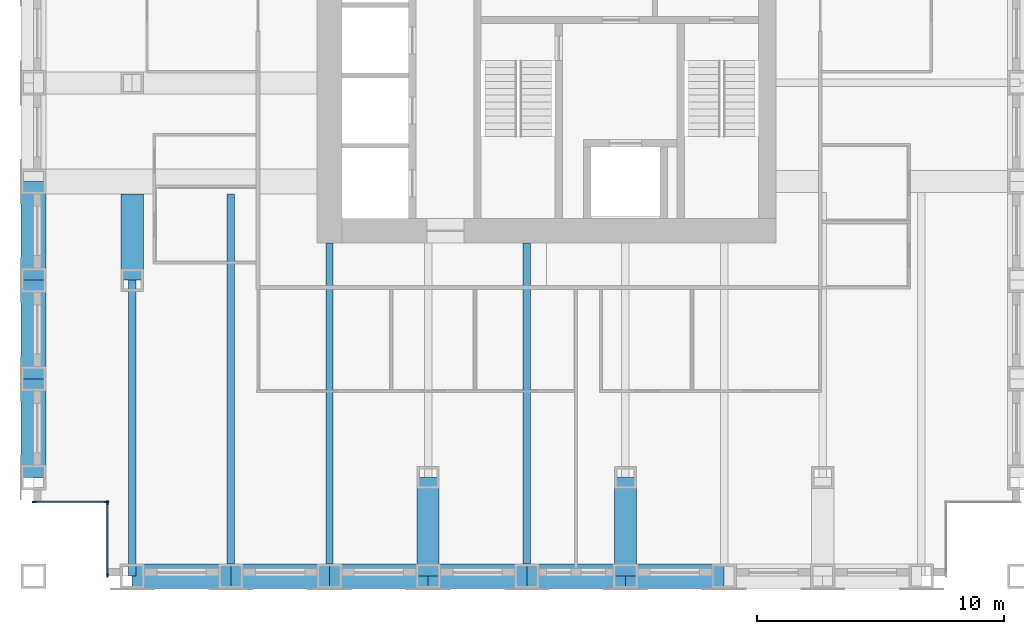
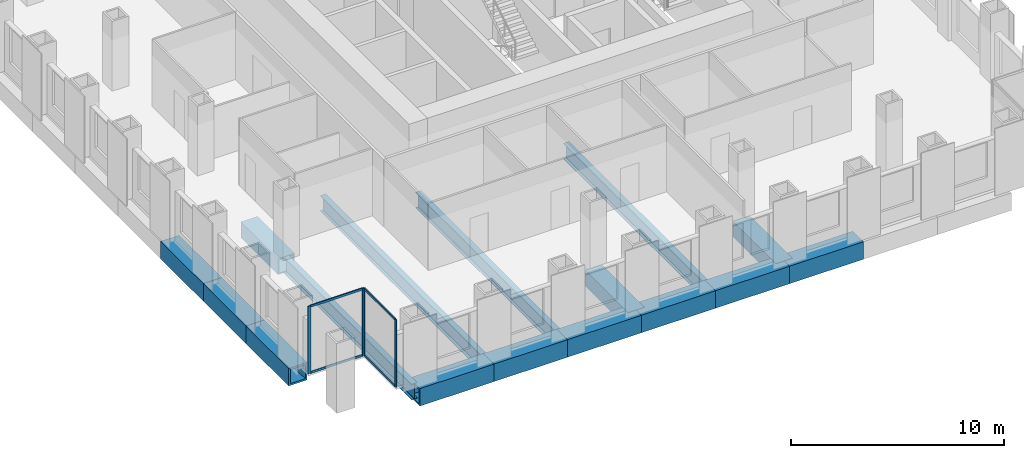
# One storey, part 2 of 12: 16 beams, 8 members, 2 elements without a shape of their own.
"""IFC4 building model written with IfcOpenShell, lengths in metres."""

from ifc_helpers import new_model, si_unit, direction, frame, origin, origin_2d, place, context, subcontext, project, spatial, rectangle, hollow_rectangle, i_section, extrude, material, material_profile, profile_set, type_object, element, aggregate, save


model = new_model("IFC4")

# Units and contexts
model_context = context("Model", 3, precision=1e-05, world=origin(), true_north=direction((0.0, 1.0)))
body_context = subcontext(model_context, "Body", "Model", "MODEL_VIEW")
ifc_project = project(units=[si_unit("LENGTHUNIT", "METRE"), si_unit("AREAUNIT", "SQUARE_METRE"), si_unit("VOLUMEUNIT", "CUBIC_METRE"), si_unit("PLANEANGLEUNIT", "RADIAN"), si_unit("MASSUNIT", "GRAM", prefix="KILO")], contexts=[model_context])

# Site, building, storey
site_placement = place(None, origin())
site = spatial("IfcSite", under=ifc_project, at=site_placement, CompositionType="ELEMENT")
building_placement = place(site_placement, origin())
building = spatial("IfcBuilding", under=site, at=building_placement, Name="Rimbunsela Tower", CompositionType="ELEMENT")
storey_placement = place(building_placement, frame((0.0, 0.0, 151.800048828125)))
storey = spatial("IfcBuildingStorey", under=building, at=storey_placement, Name="L36", CompositionType="ELEMENT", Elevation=151.800048828125)

# Beams
ifc_material_1 = material(Name="Steel BJ 55 (fy 410 MPa)", Category="steel")
ifc_material_profile_1 = material_profile(ifc_material_1, hollow_rectangle(XDim=1.0, YDim=1.0, WallThickness=0.10009765625, at=origin_2d()), Name="BOX 1000x1000x100")
ifc_profile_set_1 = profile_set([ifc_material_profile_1], Name="Steel BJ 55 (fy 410 MPa)")
beam_type_1 = type_object("IfcBeamType", Name="Beam BOX 1000x1000x100", PredefinedType="BEAM", material=ifc_profile_set_1)
for number, where, z_axis, x_axis, name in (
    (1, (6.0, 8.0, -0.650146484375), (0.0, 1.0, 0.0), (-1.0, 0.0, 0.0), "Beam B3 L36"),
    (2, (6.0, 12.0, -0.650146484375), (0.0, 1.0, 0.0), (-1.0, 0.0, 0.0), "Beam B3 L36"),
    (3, (6.0, 16.0, -0.650146484375), (0.0, 1.0, 0.0), (-1.0, 0.0, 0.0), "Beam B3 L36"),
    (4, (10.0, 4.0, -0.650146484375), (1.0, 0.0, 0.0), (0.0, 1.0, 0.0), "Beam B3 L36"),
    (5, (14.0, 4.0, -0.650146484375), (1.0, 0.0, 0.0), (0.0, 1.0, 0.0), "Beam B3 L36"),
    (6, (18.0, 4.0, -0.650146484375), (1.0, 0.0, 0.0), (0.0, 1.0, 0.0), "Beam B3 L36"),
    (7, (22.0, 4.0, -0.650146484375), (1.0, 0.0, 0.0), (0.0, 1.0, 0.0), "Beam B3 L36"),
    (8, (26.0, 4.0, -0.650146484375), (1.0, 0.0, 0.0), (0.0, 1.0, 0.0), "Beam B3 L36"),
    (9, (30.0, 4.0, -0.650146484375), (1.0, 0.0, 0.0), (0.0, 1.0, 0.0), "Beam B3 L36"),
):
    element("IfcBeam", number, at=place(storey_placement, frame(where, z_axis=z_axis, x_axis=x_axis)), inside=storey, type_object=beam_type_1, Name=name, PredefinedType="BEAM", context=body_context, shape_type="SweptSolid", body=[
        extrude(hollow_rectangle(XDim=1.0, YDim=1.0, WallThickness=0.10009765625, at=origin_2d()), origin(), (0.0, 0.0, 1.0), 4.0),
    ])
ifc_material_2 = material(Name="Steel BJ 55 (fy 410 MPa)", Category="steel")
ifc_material_profile_2 = material_profile(ifc_material_2, hollow_rectangle(XDim=0.89990234375, YDim=0.89990234375, WallThickness=0.06005859375, at=origin_2d()), Name="BOX 900x900x60")
ifc_profile_set_2 = profile_set([ifc_material_profile_2], Name="Steel BJ 55 (fy 410 MPa)")
beam_type_2 = type_object("IfcBeamType", Name="Beam BOX 900x900x60", PredefinedType="BEAM", material=ifc_profile_set_2)
beam_1_placement = place(storey_placement, frame((10.0, 16.0, -0.60009765625), z_axis=(0.0, 1.0, 0.0), x_axis=(-1.0, 0.0, 0.0)))
element("IfcBeam", 10, at=beam_1_placement, inside=storey, type_object=beam_type_2, Name="Beam B1 L36", PredefinedType="BEAM", context=body_context, shape_type="SweptSolid", body=[
    extrude(hollow_rectangle(XDim=0.89990234375, YDim=0.89990234375, WallThickness=0.06005859375, at=origin_2d()), origin(), (0.0, 0.0, 1.0), 3.5),
])
for number, where, z_axis, x_axis, name in (
    (11, (22.0, 4.0, -0.60009765625), (0.0, 1.0, 0.0), (-1.0, 0.0, 0.0), "Beam B1 L36"),
    (12, (30.0, 4.0, -0.60009765625), (0.0, 1.0, 0.0), (-1.0, 0.0, 0.0), "Beam B1 L36"),
):
    element("IfcBeam", number, at=place(storey_placement, frame(where, z_axis=z_axis, x_axis=x_axis)), inside=storey, type_object=beam_type_2, Name=name, PredefinedType="BEAM", context=body_context, shape_type="SweptSolid", body=[
        extrude(hollow_rectangle(XDim=0.89990234375, YDim=0.89990234375, WallThickness=0.06005859375, at=origin_2d()), origin(), (0.0, 0.0, 1.0), 4.0),
    ])
ifc_material_3 = material(Name="Steel BJ 55 (fy 410 MPa)", Category="steel")
ifc_material_profile_3 = material_profile(ifc_material_3, i_section(OverallWidth=0.300048828125, OverallDepth=0.89990234375, WebThickness=0.01611328125, FlangeThickness=0.028076171875, FilletRadius=0.028076171875, at=origin_2d()), Name="H 900x300x16x28")
ifc_profile_set_3 = profile_set([ifc_material_profile_3], Name="Steel BJ 55 (fy 410 MPa)")
beam_type_3 = type_object("IfcBeamType", Name="Beam H 900x300x16x28", PredefinedType="BEAM", material=ifc_profile_set_3)
beam_2_placement = place(storey_placement, frame((10.0, 4.0, -0.60009765625), z_axis=(0.0, 1.0, 0.0), x_axis=(-1.0, 0.0, 0.0)))
element("IfcBeam", 13, at=beam_2_placement, inside=storey, type_object=beam_type_3, Name="Beam B2 L36", PredefinedType="BEAM", context=body_context, shape_type="SweptSolid", body=[
    extrude(i_section(OverallWidth=0.300048828125, OverallDepth=0.89990234375, WebThickness=0.01611328125, FlangeThickness=0.028076171875, FilletRadius=0.028076171875, at=origin_2d()), origin(), (0.0, 0.0, 1.0), 12.0),
])
beam_3_placement = place(storey_placement, frame((14.0, 4.0, -0.60009765625), z_axis=(0.0, 1.0, 0.0), x_axis=(-1.0, 0.0, 0.0)))
element("IfcBeam", 14, at=beam_3_placement, inside=storey, type_object=beam_type_3, Name="Beam B2 L36", PredefinedType="BEAM", context=body_context, shape_type="SweptSolid", body=[
    extrude(i_section(OverallWidth=0.300048828125, OverallDepth=0.89990234375, WebThickness=0.01611328125, FlangeThickness=0.028076171875, FilletRadius=0.028076171875, at=origin_2d()), origin(), (0.0, 0.0, 1.0), 15.5),
])
for number, where, z_axis, x_axis, name in (
    (15, (18.0, 4.0, -0.60009765625), (0.0, 1.0, 0.0), (-1.0, 0.0, 0.0), "Beam B2 L36"),
    (16, (26.0, 4.0, -0.60009765625), (0.0, 1.0, 0.0), (-1.0, 0.0, 0.0), "Beam B2 L36"),
):
    element("IfcBeam", number, at=place(storey_placement, frame(where, z_axis=z_axis, x_axis=x_axis)), inside=storey, type_object=beam_type_3, Name=name, PredefinedType="BEAM", context=body_context, shape_type="SweptSolid", body=[
        extrude(i_section(OverallWidth=0.300048828125, OverallDepth=0.89990234375, WebThickness=0.01611328125, FlangeThickness=0.028076171875, FilletRadius=0.028076171875, at=origin_2d()), origin(), (0.0, 0.0, 1.0), 13.5),
    ])

# Curtain wall, members
ifc_material_4 = material(Name="Aluminium curtain wall", Category="aluminium")
curtain_wall_type = type_object("IfcCurtainWallType", Name="Corner glazing", PredefinedType="USERDEFINED", material=ifc_material_4)
curtain_wall_1_placement = place(storey_placement, origin())
curtain_wall_1 = element("IfcCurtainWall", 17, at=curtain_wall_1_placement, inside=storey, type_object=curtain_wall_type, Name="Corner glazing L36", ObjectType="CORNER GLAZING", PredefinedType="USERDEFINED")
ifc_material_5 = material(Name="Aluminium mullion", Category="aluminium")
ifc_material_profile_4 = material_profile(ifc_material_5, rectangle(XDim=0.06005859375, YDim=0.159912109375, at=origin_2d()), Name="Mullion 60x160")
ifc_profile_set_4 = profile_set([ifc_material_profile_4], Name="Aluminium mullion")
member_type_1 = type_object("IfcMemberType", Name="Curtain wall mullion 60x160", PredefinedType="MULLION", material=ifc_profile_set_4)
member_1_placement = place(storey_placement, frame((6.030029296875, 7.0, 0.0), z_axis=(0.0, 0.0, 1.0), x_axis=(0.0, 1.0, 0.0)))
member_1 = element("IfcMember", 18, at=member_1_placement, type_object=member_type_1, Name="CW5 mullion 1", PredefinedType="MULLION", context=body_context, shape_type="SweptSolid", body=[
    extrude(rectangle(XDim=0.06005859375, YDim=0.159912109375, at=origin_2d()), origin(), (0.0, 0.0, 1.0), 3.849853515625),
])
member_2_placement = place(storey_placement, frame((8.969970703125, 7.0, 0.0), z_axis=(0.0, 0.0, 1.0), x_axis=(0.0, 1.0, 0.0)))
member_2 = element("IfcMember", 19, at=member_2_placement, type_object=member_type_1, Name="CW5 mullion 2", PredefinedType="MULLION", context=body_context, shape_type="SweptSolid", body=[
    extrude(rectangle(XDim=0.06005859375, YDim=0.159912109375, at=origin_2d()), origin(), (0.0, 0.0, 1.0), 3.849853515625),
])

curtain_wall_2_placement = place(storey_placement, origin())
curtain_wall_2 = element("IfcCurtainWall", 20, at=curtain_wall_2_placement, inside=storey, type_object=curtain_wall_type, Name="Corner glazing L36", ObjectType="CORNER GLAZING", PredefinedType="USERDEFINED")
member_3_placement = place(storey_placement, frame((9.0, 6.969970703125, 0.0), z_axis=(0.0, 0.0, 1.0), x_axis=(1.0, 0.0, 0.0)))
member_3 = element("IfcMember", 21, at=member_3_placement, type_object=member_type_1, Name="CW5 mullion 1", PredefinedType="MULLION", context=body_context, shape_type="SweptSolid", body=[
    extrude(rectangle(XDim=0.06005859375, YDim=0.159912109375, at=origin_2d()), origin(), (0.0, 0.0, 1.0), 3.849853515625),
])
member_4_placement = place(storey_placement, frame((9.0, 4.030029296875, 0.0), z_axis=(0.0, 0.0, 1.0), x_axis=(1.0, 0.0, 0.0)))
member_4 = element("IfcMember", 22, at=member_4_placement, type_object=member_type_1, Name="CW5 mullion 2", PredefinedType="MULLION", context=body_context, shape_type="SweptSolid", body=[
    extrude(rectangle(XDim=0.06005859375, YDim=0.159912109375, at=origin_2d()), origin(), (0.0, 0.0, 1.0), 3.849853515625),
])

# Member
ifc_material_6 = material(Name="Aluminium transom", Category="aluminium")
ifc_material_profile_5 = material_profile(ifc_material_6, rectangle(XDim=0.06005859375, YDim=0.1201171875, at=origin_2d()), Name="Transom 60x120")
ifc_profile_set_5 = profile_set([ifc_material_profile_5], Name="Aluminium transom")
member_type_2 = type_object("IfcMemberType", Name="Curtain wall transom 60x120", PredefinedType="USERDEFINED", material=ifc_profile_set_5)
member_5_placement = place(storey_placement, frame((6.06005859375, 7.0, 0.030029296875), z_axis=(1.0, 0.0, 0.0), x_axis=(0.0, 1.0, 0.0)))
member_5 = element("IfcMember", 23, at=member_5_placement, type_object=member_type_2, Name="CW5 transom 1.1", ObjectType="TRANSOM", PredefinedType="USERDEFINED", context=body_context, shape_type="SweptSolid", body=[
    extrude(rectangle(XDim=0.06005859375, YDim=0.1201171875, at=origin_2d()), origin(), (0.0, 0.0, 1.0), 2.8798828125),
])

member_6_placement = place(storey_placement, frame((6.06005859375, 7.0, 3.820068359375), z_axis=(1.0, 0.0, 0.0), x_axis=(0.0, 1.0, 0.0)))
member_6 = element("IfcMember", 24, at=member_6_placement, type_object=member_type_2, Name="CW5 transom 1.2", ObjectType="TRANSOM", PredefinedType="USERDEFINED", context=body_context, shape_type="SweptSolid", body=[
    extrude(rectangle(XDim=0.06005859375, YDim=0.1201171875, at=origin_2d()), origin(), (0.0, 0.0, 1.0), 2.8798828125),
])

aggregate(curtain_wall_1, [member_1, member_2, member_5, member_6])

member_7_placement = place(storey_placement, frame((9.0, 6.93994140625, 0.030029296875), z_axis=(0.0, -1.0, 0.0), x_axis=(1.0, 0.0, 0.0)))
member_7 = element("IfcMember", 25, at=member_7_placement, type_object=member_type_2, Name="CW5 transom 1.1", ObjectType="TRANSOM", PredefinedType="USERDEFINED", context=body_context, shape_type="SweptSolid", body=[
    extrude(rectangle(XDim=0.06005859375, YDim=0.1201171875, at=origin_2d()), origin(), (0.0, 0.0, 1.0), 2.8798828125),
])

member_8_placement = place(storey_placement, frame((9.0, 6.93994140625, 3.820068359375), z_axis=(0.0, -1.0, 0.0), x_axis=(1.0, 0.0, 0.0)))
member_8 = element("IfcMember", 26, at=member_8_placement, type_object=member_type_2, Name="CW5 transom 1.2", ObjectType="TRANSOM", PredefinedType="USERDEFINED", context=body_context, shape_type="SweptSolid", body=[
    extrude(rectangle(XDim=0.06005859375, YDim=0.1201171875, at=origin_2d()), origin(), (0.0, 0.0, 1.0), 2.8798828125),
])

aggregate(curtain_wall_2, [member_3, member_4, member_7, member_8])

save(model, "model.ifc")
